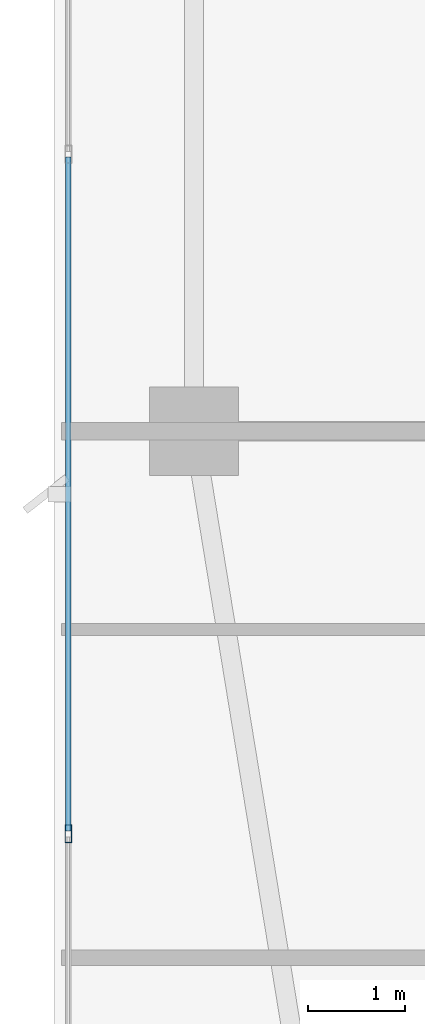
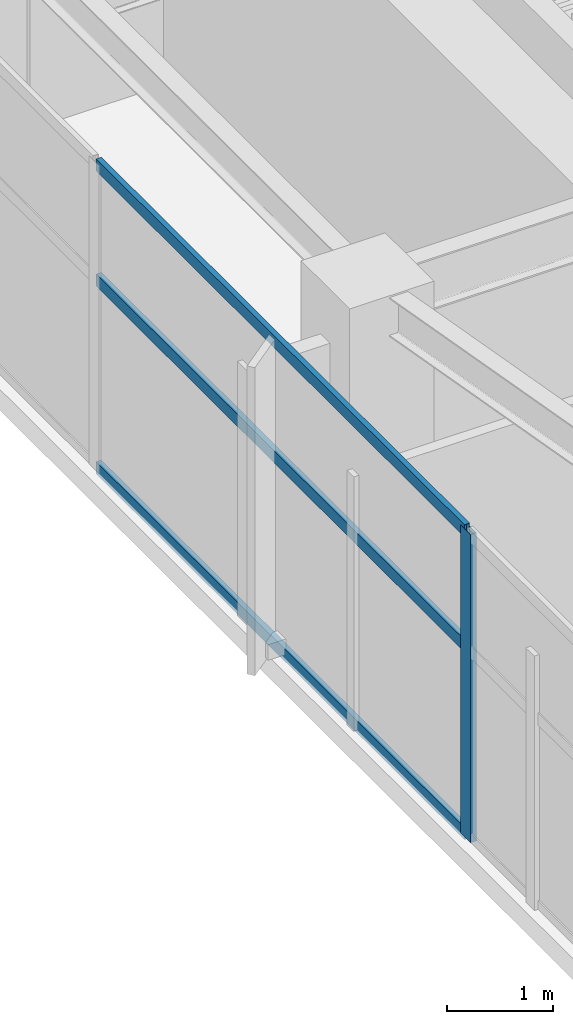
# One storey, part 4 of 27: 4 members, 1 element without a shape of its own.
"""IFC4 building model written with IfcOpenShell, lengths in metres."""

from ifc_helpers import new_model, si_unit, direction, frame, origin, origin_2d, place, context, subcontext, project, spatial, hollow_rectangle, extrude, material, layer, layer_set, material_profile, profile_set, type_object, element, aggregate, save


model = new_model("IFC4")

# Units and contexts
model_context = context("Model", 3, precision=1e-05, world=origin(), true_north=direction((0.0, 1.0)))
body_context = subcontext(model_context, "Body", "Model", "MODEL_VIEW")
ifc_project = project(units=[si_unit("LENGTHUNIT", "METRE"), si_unit("AREAUNIT", "SQUARE_METRE"), si_unit("VOLUMEUNIT", "CUBIC_METRE"), si_unit("PLANEANGLEUNIT", "RADIAN"), si_unit("MASSUNIT", "GRAM", prefix="KILO")], contexts=[model_context])

# Site, building, storey
site_placement = place(None, origin())
site = spatial("IfcSite", under=ifc_project, at=site_placement, CompositionType="ELEMENT")
building_placement = place(site_placement, origin())
building = spatial("IfcBuilding", under=site, at=building_placement, Name="Calvorn Quay Hotel", CompositionType="ELEMENT")
storey_placement = place(building_placement, frame((0.0, 0.0, 223.10009765625)))
storey = spatial("IfcBuildingStorey", under=building, at=storey_placement, Name="L55", CompositionType="ELEMENT", Elevation=223.10009765625)

# Curtain wall, members
ifc_material_1 = material(Name="Champagne Bronze Anodised Aluminium and Low-E Glass", Category="aluminium")
ifc_layer = layer(ifc_material_1, 0.219970703125)
ifc_layer_set = layer_set([ifc_layer], Name="CW-SYS-Z3")
curtain_wall_type = type_object("IfcCurtainWallType", Name="CW-SYS-Z3", PredefinedType="NOTDEFINED", material=ifc_layer_set)
curtain_wall_placement = place(storey_placement, origin())
curtain_wall = element("IfcCurtainWall", 1, at=curtain_wall_placement, inside=storey, type_object=curtain_wall_type, Name="Tower West Curtain Wall (L55)", PredefinedType="NOTDEFINED")
ifc_material_2 = material(Name="Champagne Bronze Anodised Aluminium 6063-T6", Category="aluminium")
ifc_material_profile_1 = material_profile(ifc_material_2, hollow_rectangle(XDim=0.068115234375, YDim=0.18505859375, WallThickness=0.00390625, at=origin_2d()), Name="ALU-M185x68x4")
ifc_profile_set_1 = profile_set([ifc_material_profile_1], Name="Champagne Bronze Anodised Aluminium 6063-T6")
member_type_1 = type_object("IfcMemberType", Name="CW-SYS-Z3-MUL", PredefinedType="MULLION", material=ifc_profile_set_1)
member_1_placement = place(storey_placement, frame((0.14990234375, 12.63330078125, 0.0), z_axis=(0.0, 0.0, 1.0), x_axis=(-1.0, 0.0, 0.0)))
member_1 = element("IfcMember", 2, at=member_1_placement, type_object=member_type_1, Name="CW-L55-W mullion 2", PredefinedType="MULLION", context=body_context, shape_type="SweptSolid", body=[
    extrude(hollow_rectangle(XDim=0.068115234375, YDim=0.18505859375, WallThickness=0.00390625, at=origin_2d()), origin(), (0.0, 0.0, 1.0), 3.559814453125),
])
ifc_material_3 = material(Name="Champagne Bronze Anodised Aluminium 6063-T6", Category="aluminium")
ifc_material_profile_2 = material_profile(ifc_material_3, hollow_rectangle(XDim=0.05810546875, YDim=0.139892578125, WallThickness=0.003173828125, at=origin_2d()), Name="ALU-T140x58x3.2")
ifc_profile_set_2 = profile_set([ifc_material_profile_2], Name="Champagne Bronze Anodised Aluminium 6063-T6")
member_type_2 = type_object("IfcMemberType", Name="CW-SYS-Z3-TRN", PredefinedType="USERDEFINED", material=ifc_profile_set_2)
member_2_placement = place(storey_placement, frame((0.14990234375, 12.663330078125, 0.02978515625), z_axis=(0.0, 1.0, 0.0), x_axis=(-1.0, 0.0, 0.0)))
member_2 = element("IfcMember", 3, at=member_2_placement, type_object=member_type_2, Name="CW-L55-W transom 2.1", ObjectType="TRANSOM", PredefinedType="USERDEFINED", context=body_context, shape_type="SweptSolid", body=[
    extrude(hollow_rectangle(XDim=0.05810546875, YDim=0.139892578125, WallThickness=0.003173828125, at=origin_2d()), origin(), (0.0, 0.0, 1.0), 6.973388671875),
])
member_3_placement = place(storey_placement, frame((0.14990234375, 12.663330078125, 2.199951171875), z_axis=(0.0, 1.0, 0.0), x_axis=(-1.0, 0.0, 0.0)))
member_3 = element("IfcMember", 4, at=member_3_placement, type_object=member_type_2, Name="CW-L55-W transom 2.2", ObjectType="TRANSOM", PredefinedType="USERDEFINED", context=body_context, shape_type="SweptSolid", body=[
    extrude(hollow_rectangle(XDim=0.05810546875, YDim=0.139892578125, WallThickness=0.003173828125, at=origin_2d()), origin(), (0.0, 0.0, 1.0), 6.973388671875),
])
member_4_placement = place(storey_placement, frame((0.14990234375, 12.663330078125, 3.52978515625), z_axis=(0.0, 1.0, 0.0), x_axis=(-1.0, 0.0, 0.0)))
member_4 = element("IfcMember", 5, at=member_4_placement, type_object=member_type_2, Name="CW-L55-W transom 2.3", ObjectType="TRANSOM", PredefinedType="USERDEFINED", context=body_context, shape_type="SweptSolid", body=[
    extrude(hollow_rectangle(XDim=0.05810546875, YDim=0.139892578125, WallThickness=0.003173828125, at=origin_2d()), origin(), (0.0, 0.0, 1.0), 6.973388671875),
])
aggregate(curtain_wall, [member_1, member_2, member_3, member_4])

save(model, "model.ifc")
